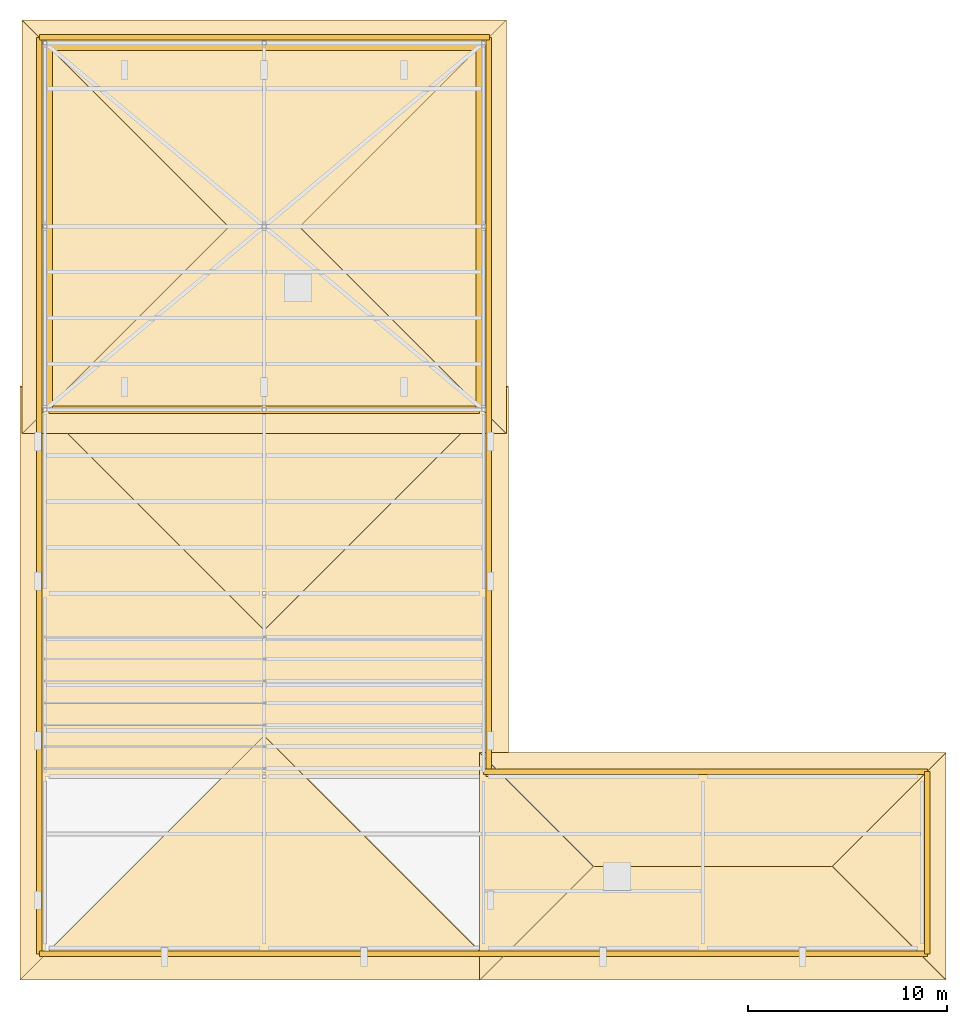
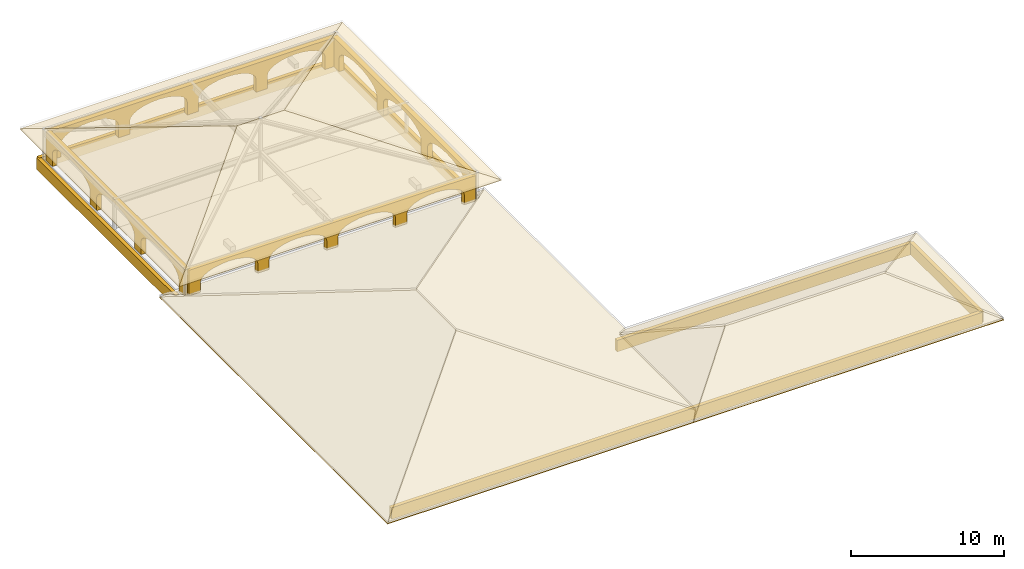
# One storey, part 5 of 5: 22 coverings.
"""IFC4 building model written with IfcOpenShell, lengths in metres."""

from ifc_helpers import new_model, si_unit, direction, frame, frame_2d, origin, place, context, subcontext, project, spatial, polyline, rectangle, outline, extrude, material, layer, layer_set, type_object, element, save


model = new_model("IFC4")

# Units and contexts
model_context = context("Model", 3, precision=1e-05, world=origin(), true_north=direction((0.0, 1.0)))
body_context = subcontext(model_context, "Body", "Model", "MODEL_VIEW")
ifc_project = project(units=[si_unit("LENGTHUNIT", "METRE"), si_unit("AREAUNIT", "SQUARE_METRE"), si_unit("VOLUMEUNIT", "CUBIC_METRE"), si_unit("PLANEANGLEUNIT", "RADIAN"), si_unit("MASSUNIT", "GRAM", prefix="KILO")], contexts=[model_context])

# Site, building, storey
site_placement = place(None, origin())
site = spatial("IfcSite", under=ifc_project, at=site_placement, CompositionType="ELEMENT")
building_placement = place(site_placement, origin())
building = spatial("IfcBuilding", under=site, at=building_placement, Name="Caurita Quay Ferry Terminal", CompositionType="ELEMENT")
storey_placement = place(building_placement, frame((0.0, 0.0, 22.5)))
storey = spatial("IfcBuildingStorey", under=building, at=storey_placement, Name="RF", CompositionType="ELEMENT", Elevation=22.5)

# Coverings
ifc_material_1 = material(Name="Warm-white lime stucco masonry", Category="masonry")
ifc_layer_1 = layer(ifc_material_1, 0.360107421875, Name="Spanish Colonial semicircular lime-stucco portales arcade 360 mm")
ifc_layer_set_1 = layer_set([ifc_layer_1], Name="Warm-white lime stucco masonry")
covering_type_1 = type_object("IfcCoveringType", Name="COV-ARC-CLD", PredefinedType="CLADDING", material=ifc_layer_set_1)
covering_1_placement = place(storey_placement, frame((21.800048828125, 116.800048828125, 0.0), z_axis=(0.0, 0.0, 1.0), x_axis=(-1.0, 0.0, 0.0)))
element("IfcCovering", 1, at=covering_1_placement, inside=storey, type_object=covering_type_1, Name="Mirador Belvedere North Arched Lantern 067", PredefinedType="CLADDING", context=body_context, shape_type="SweptSolid", body=[
    extrude(outline(polyline([(0.0, 0.0), (0.85009765625, 0.0), (0.85009765625, 1.050048828125), (0.923828125, 1.2958984375), (1.140625, 1.52490234375), (1.485107421875, 1.7216796875), (1.934326171875, 1.872802734375), (2.45751953125, 1.967529296875), (3.018798828125, 2.0), (3.580078125, 1.967529296875), (4.10302734375, 1.872802734375), (4.55224609375, 1.7216796875), (4.89697265625, 1.52490234375), (5.113525390625, 1.2958984375), (5.1875, 1.050048828125), (5.1875, 0.0), (6.03759765625, 0.0), (6.03759765625, 1.050048828125), (6.111328125, 1.2958984375), (6.328125, 1.52490234375), (6.6728515625, 1.7216796875), (7.121826171875, 1.872802734375), (7.64501953125, 1.967529296875), (8.206298828125, 2.0), (8.767578125, 1.967529296875), (9.290771484375, 1.872802734375), (9.73974609375, 1.7216796875), (10.08447265625, 1.52490234375), (10.30126953125, 1.2958984375), (10.375, 1.050048828125), (10.375, 0.0), (11.22509765625, 0.0), (11.22509765625, 1.050048828125), (11.298828125, 1.2958984375), (11.515625, 1.52490234375), (11.8603515625, 1.7216796875), (12.309326171875, 1.872802734375), (12.83251953125, 1.967529296875), (13.393798828125, 2.0), (13.955078125, 1.967529296875), (14.478271484375, 1.872802734375), (14.92724609375, 1.7216796875), (15.27197265625, 1.52490234375), (15.48876953125, 1.2958984375), (15.5625, 1.050048828125), (15.5625, 0.0), (16.41259765625, 0.0), (16.41259765625, 1.050048828125), (16.486572265625, 1.2958984375), (16.703125, 1.52490234375), (17.0478515625, 1.7216796875), (17.4970703125, 1.872802734375), (18.02001953125, 1.967529296875), (18.581298828125, 2.0), (19.142578125, 1.967529296875), (19.665771484375, 1.872802734375), (20.114990234375, 1.7216796875), (20.45947265625, 1.52490234375), (20.67626953125, 1.2958984375), (20.75, 1.050048828125), (20.75, 0.0), (21.60009765625, 0.0), (21.60009765625, 2.300048828125), (0.0, 2.300048828125), (0.0, 0.0)])), frame((0.0, 0.18017578125, 0.0), z_axis=(0.0, -1.0, 0.0), x_axis=(1.0, 0.0, 0.0)), (0.0, 0.0, 1.0), 0.360107421875),
])
covering_2_placement = place(storey_placement, frame((0.199951171875, 98.60009765625, 0.0), z_axis=(0.0, 0.0, 1.0), x_axis=(1.0, 0.0, 0.0)))
element("IfcCovering", 2, at=covering_2_placement, inside=storey, type_object=covering_type_1, Name="Mirador Belvedere South Arched Lantern 068", PredefinedType="CLADDING", context=body_context, shape_type="SweptSolid", body=[
    extrude(outline(polyline([(0.0, 0.0), (0.85009765625, 0.0), (0.85009765625, 1.050048828125), (0.923828125, 1.2958984375), (1.140625, 1.52490234375), (1.485107421875, 1.7216796875), (1.934326171875, 1.872802734375), (2.45751953125, 1.967529296875), (3.018798828125, 2.0), (3.580078125, 1.967529296875), (4.10302734375, 1.872802734375), (4.55224609375, 1.7216796875), (4.89697265625, 1.52490234375), (5.113525390625, 1.2958984375), (5.1875, 1.050048828125), (5.1875, 0.0), (6.03759765625, 0.0), (6.03759765625, 1.050048828125), (6.111328125, 1.2958984375), (6.328125, 1.52490234375), (6.6728515625, 1.7216796875), (7.121826171875, 1.872802734375), (7.64501953125, 1.967529296875), (8.206298828125, 2.0), (8.767578125, 1.967529296875), (9.290771484375, 1.872802734375), (9.73974609375, 1.7216796875), (10.08447265625, 1.52490234375), (10.30126953125, 1.2958984375), (10.375, 1.050048828125), (10.375, 0.0), (11.22509765625, 0.0), (11.22509765625, 1.050048828125), (11.298828125, 1.2958984375), (11.515625, 1.52490234375), (11.8603515625, 1.7216796875), (12.309326171875, 1.872802734375), (12.83251953125, 1.967529296875), (13.393798828125, 2.0), (13.955078125, 1.967529296875), (14.478271484375, 1.872802734375), (14.92724609375, 1.7216796875), (15.27197265625, 1.52490234375), (15.48876953125, 1.2958984375), (15.5625, 1.050048828125), (15.5625, 0.0), (16.41259765625, 0.0), (16.41259765625, 1.050048828125), (16.486572265625, 1.2958984375), (16.703125, 1.52490234375), (17.0478515625, 1.7216796875), (17.4970703125, 1.872802734375), (18.02001953125, 1.967529296875), (18.581298828125, 2.0), (19.142578125, 1.967529296875), (19.665771484375, 1.872802734375), (20.114990234375, 1.7216796875), (20.45947265625, 1.52490234375), (20.67626953125, 1.2958984375), (20.75, 1.050048828125), (20.75, 0.0), (21.60009765625, 0.0), (21.60009765625, 2.300048828125), (0.0, 2.300048828125), (0.0, 0.0)])), frame((0.0, 0.18017578125, 0.0), z_axis=(0.0, -1.0, 0.0), x_axis=(1.0, 0.0, 0.0)), (0.0, 0.0, 1.0), 0.360107421875),
])
for number, where, z_axis, x_axis, name in (
    (3, (0.199951171875, 116.800048828125, 0.0), (0.0, 0.0, 1.0), (0.0, -1.0, 0.0), "Mirador Belvedere West Arched Lantern 069"),
    (4, (21.800048828125, 98.60009765625, 0.0), (0.0, 0.0, 1.0), (0.0, 1.0, 0.0), "Mirador Belvedere East Arched Lantern 070"),
):
    element("IfcCovering", number, at=place(storey_placement, frame(where, z_axis=z_axis, x_axis=x_axis)), inside=storey, type_object=covering_type_1, Name=name, PredefinedType="CLADDING", context=body_context, shape_type="SweptSolid", body=[
        extrude(outline(polyline([(0.0, 0.0), (0.85009765625, 0.0), (0.85009765625, 1.050048828125), (0.93408203125, 1.2958984375), (1.180419921875, 1.52490234375), (1.572509765625, 1.7216796875), (2.083251953125, 1.872802734375), (2.67822265625, 1.967529296875), (3.316650390625, 2.0), (3.955078125, 1.967529296875), (4.550048828125, 1.872802734375), (5.060791015625, 1.7216796875), (5.452880859375, 1.52490234375), (5.69921875, 1.2958984375), (5.783203125, 1.050048828125), (5.783203125, 0.0), (6.63330078125, 0.0), (6.63330078125, 1.050048828125), (6.71728515625, 1.2958984375), (6.9638671875, 1.52490234375), (7.355712890625, 1.7216796875), (7.86669921875, 1.872802734375), (8.461669921875, 1.967529296875), (9.099853515625, 2.0), (9.73828125, 1.967529296875), (10.333251953125, 1.872802734375), (10.84423828125, 1.7216796875), (11.236083984375, 1.52490234375), (11.482666015625, 1.2958984375), (11.566650390625, 1.050048828125), (11.566650390625, 0.0), (12.416748046875, 0.0), (12.416748046875, 1.050048828125), (12.500732421875, 1.2958984375), (12.7470703125, 1.52490234375), (13.13916015625, 1.7216796875), (13.64990234375, 1.872802734375), (14.244873046875, 1.967529296875), (14.88330078125, 2.0), (15.521728515625, 1.967529296875), (16.11669921875, 1.872802734375), (16.62744140625, 1.7216796875), (17.01953125, 1.52490234375), (17.265869140625, 1.2958984375), (17.349853515625, 1.050048828125), (17.349853515625, 0.0), (18.199951171875, 0.0), (18.199951171875, 2.300048828125), (0.0, 2.300048828125), (0.0, 0.0)])), frame((0.0, 0.18017578125, 0.0), z_axis=(0.0, -1.0, 0.0), x_axis=(1.0, 0.0, 0.0)), (0.0, 0.0, 1.0), 0.360107421875),
    ])
ifc_material_2 = material(Name="Coral stone ashlar cladding", Category="masonry")
ifc_layer_2 = layer(ifc_material_2, 0.239990234375, Name="Classical coral-stone entablature and cornice moulding 240 mm")
ifc_layer_set_2 = layer_set([ifc_layer_2], Name="Coral stone ashlar cladding")
covering_type_2 = type_object("IfcCoveringType", Name="COV-ENT-MLD", PredefinedType="MOLDING", material=ifc_layer_set_2)
covering_3_placement = place(storey_placement, frame((22.300048828125, 117.280029296875, -0.85009765625), z_axis=(0.0, 0.0, 1.0), x_axis=(-1.0, 0.0, 0.0)))
element("IfcCovering", 5, at=covering_3_placement, inside=storey, type_object=covering_type_2, Name="RF Classical Entablature Cornice 005", PredefinedType="MOLDING", context=body_context, shape_type="SweptSolid", body=[
    extrude(rectangle(XDim=22.580078125, YDim=0.280029296875, at=frame_2d((11.2900390625, 0.0))), origin(), (0.0, 0.0, 1.0), 0.91015625),
])
covering_4_placement = place(storey_placement, frame((-0.280029296875, 117.280029296875, -0.85009765625), z_axis=(0.0, 0.0, 1.0), x_axis=(0.0, -1.0, 0.0)))
element("IfcCovering", 6, at=covering_4_placement, inside=storey, type_object=covering_type_2, Name="RF Classical Entablature Cornice 010", PredefinedType="MOLDING", context=body_context, shape_type="SweptSolid", body=[
    extrude(rectangle(XDim=45.97998046875, YDim=0.280029296875, at=frame_2d((22.989990234375, 0.0))), origin(), (0.0, 0.0, 1.0), 0.91015625),
])
covering_5_placement = place(storey_placement, frame((22.260009765625, 80.199951171875, -0.85009765625), z_axis=(0.0, 0.0, 1.0), x_axis=(0.0, 1.0, 0.0)))
element("IfcCovering", 7, at=covering_5_placement, inside=storey, type_object=covering_type_2, Name="RF Classical Entablature Cornice 015", PredefinedType="MOLDING", context=body_context, shape_type="SweptSolid", body=[
    extrude(rectangle(XDim=37.080078125, YDim=0.280029296875, at=frame_2d((18.5400390625, 0.0))), origin(), (0.0, 0.0, 1.0), 0.91015625),
])
covering_6_placement = place(storey_placement, frame((44.260009765625, 71.300048828125, -0.85009765625), z_axis=(0.0, 0.0, 1.0), x_axis=(0.0, 1.0, 0.0)))
element("IfcCovering", 8, at=covering_6_placement, inside=storey, type_object=covering_type_2, Name="RF Classical Entablature Cornice 016", PredefinedType="MOLDING", context=body_context, shape_type="SweptSolid", body=[
    extrude(rectangle(XDim=9.14990234375, YDim=0.280029296875, at=frame_2d((4.574951171875, 0.0))), origin(), (0.0, 0.0, 1.0), 0.91015625),
])
covering_7_placement = place(storey_placement, frame((-0.280029296875, 71.320068359375, -0.85009765625), z_axis=(0.0, 0.0, 1.0), x_axis=(1.0, 0.0, 0.0)))
element("IfcCovering", 9, at=covering_7_placement, inside=storey, type_object=covering_type_2, Name="RF Classical Entablature Cornice 017", PredefinedType="MOLDING", context=body_context, shape_type="SweptSolid", body=[
    extrude(rectangle(XDim=44.5400390625, YDim=0.280029296875, at=frame_2d((22.27001953125, 0.0))), origin(), (0.0, 0.0, 1.0), 0.91015625),
])
covering_8_placement = place(storey_placement, frame((22.0, 80.449951171875, -0.85009765625), z_axis=(0.0, 0.0, 1.0), x_axis=(1.0, 0.0, 0.0)))
element("IfcCovering", 10, at=covering_8_placement, inside=storey, type_object=covering_type_2, Name="RF Classical Entablature Cornice 018", PredefinedType="MOLDING", context=body_context, shape_type="SweptSolid", body=[
    extrude(rectangle(XDim=22.260009765625, YDim=0.280029296875, at=frame_2d((11.1298828125, 0.0))), origin(), (0.0, 0.0, 1.0), 0.91015625),
])
ifc_material_3 = material(Name="Terracotta clay barrel tile", Category="masonry")
ifc_layer_3 = layer(ifc_material_3, 0.06494140625, Name="Terracotta clay barrel-tile roofing course")
ifc_layer_set_3 = layer_set([ifc_layer_3], Name="Terracotta clay barrel tile")
covering_type_3 = type_object("IfcCoveringType", Name="COV-TEJA-ROOF", PredefinedType="ROOFING", material=ifc_layer_set_3)
for number, where, z_axis, x_axis, name in (
    (11, (-1.14990234375, 97.39990234375, 2.090087890625), (0.0, -0.269191096146, 0.963086784125), (1.0, 0.0, 0.0), "Terracotta Roof Timber Decking MIRADOR-S"),
    (12, (23.14990234375, 118.14990234375, 2.090087890625), (0.0, 0.269191096146, 0.963086784125), (-1.0, 0.0, 0.0), "Terracotta Roof Timber Decking MIRADOR-N"),
):
    element("IfcCovering", number, at=place(storey_placement, frame(where, z_axis=z_axis, x_axis=x_axis)), inside=storey, type_object=covering_type_3, Name=name, PredefinedType="ROOFING", context=body_context, shape_type="SweptSolid", body=[
        extrude(outline(polyline([(0.0, 0.0), (24.2998046875, 0.0), (13.9248046875, 10.772653275924494), (10.375, 10.772653275924494), (0.0, 0.0)])), origin(), (0.0, 0.0, -1.0), 0.054931640625),
    ])
for number, where, z_axis, x_axis, name in (
    (13, (-1.14990234375, 118.14990234375, 2.090087890625), (-0.269191096146, 0.0, 0.963086784125), (0.0, -1.0, 0.0), "Terracotta Roof Timber Decking MIRADOR-W"),
    (14, (23.14990234375, 97.39990234375, 2.090087890625), (0.269191096146, 0.0, 0.963086784125), (0.0, 1.0, 0.0), "Terracotta Roof Timber Decking MIRADOR-E"),
):
    element("IfcCovering", number, at=place(storey_placement, frame(where, z_axis=z_axis, x_axis=x_axis)), inside=storey, type_object=covering_type_3, Name=name, PredefinedType="ROOFING", context=body_context, shape_type="SweptSolid", body=[
        extrude(outline(polyline([(0.0, 0.0), (20.75, 0.0), (10.375, 10.772653275924494), (0.0, 0.0)])), origin(), (0.0, 0.0, -1.0), 0.054931640625),
    ])
for number, where, z_axis, x_axis, name in (
    (15, (-1.25, 99.800048828125, -0.139892578125), (-0.287701592342, 0.0, 0.957720101994), (0.0, -1.0, 0.0), "Terracotta Roof Timber Decking V5-WEST-W"),
    (16, (23.25, 70.0, -0.139892578125), (0.287701592342, 0.0, 0.957720101994), (0.0, 1.0, 0.0), "Terracotta Roof Timber Decking V5-WEST-E"),
):
    element("IfcCovering", number, at=place(storey_placement, frame(where, z_axis=z_axis, x_axis=x_axis)), inside=storey, type_object=covering_type_3, Name=name, PredefinedType="ROOFING", context=body_context, shape_type="SweptSolid", body=[
        extrude(outline(polyline([(0.0, 0.0), (29.800048828125, 0.0), (17.550048828125, 12.79079344214709), (12.25, 12.79079344214709), (0.0, 0.0)])), origin(), (0.0, 0.0, -1.0), 0.054931640625),
    ])
for number, where, z_axis, x_axis, name in (
    (17, (-1.25, 70.0, -0.139892578125), (0.0, -0.287701592342, 0.957720101994), (1.0, 0.0, 0.0), "Terracotta Roof Timber Decking V5-WEST-S"),
    (18, (23.25, 99.800048828125, -0.139892578125), (0.0, 0.287701592342, 0.957720101994), (-1.0, 0.0, 0.0), "Terracotta Roof Timber Decking V5-WEST-N"),
):
    element("IfcCovering", number, at=place(storey_placement, frame(where, z_axis=z_axis, x_axis=x_axis)), inside=storey, type_object=covering_type_3, Name=name, PredefinedType="ROOFING", context=body_context, shape_type="SweptSolid", body=[
        extrude(outline(polyline([(0.0, 0.0), (24.5, 0.0), (12.25, 12.79079344214709), (0.0, 0.0)])), origin(), (0.0, 0.0, -1.0), 0.054931640625),
    ])
for number, where, z_axis, x_axis, name in (
    (19, (21.800048828125, 70.0, -0.139892578125), (0.0, -0.36433768474, 0.931266906681), (1.0, 0.0, 0.0), "Terracotta Roof Timber Decking V5-STH-S"),
    (20, (45.199951171875, 81.39990234375, -0.139892578125), (0.0, 0.36433768474, 0.931266906681), (-1.0, 0.0, 0.0), "Terracotta Roof Timber Decking V5-STH-N"),
):
    element("IfcCovering", number, at=place(storey_placement, frame(where, z_axis=z_axis, x_axis=x_axis)), inside=storey, type_object=covering_type_3, Name=name, PredefinedType="ROOFING", context=body_context, shape_type="SweptSolid", body=[
        extrude(outline(polyline([(0.0, 0.0), (23.39990234375, 0.0), (17.699951171875, 6.120641817061806), (5.699951171875, 6.120641817061806), (0.0, 0.0)])), origin(), (0.0, 0.0, -1.0), 0.054931640625),
    ])
for number, where, z_axis, x_axis, name in (
    (21, (21.800048828125, 81.39990234375, -0.139892578125), (-0.36433768474, 0.0, 0.931266906681), (0.0, -1.0, 0.0), "Terracotta Roof Timber Decking V5-STH-W"),
    (22, (45.199951171875, 70.0, -0.139892578125), (0.36433768474, 0.0, 0.931266906681), (0.0, 1.0, 0.0), "Terracotta Roof Timber Decking V5-STH-E"),
):
    element("IfcCovering", number, at=place(storey_placement, frame(where, z_axis=z_axis, x_axis=x_axis)), inside=storey, type_object=covering_type_3, Name=name, PredefinedType="ROOFING", context=body_context, shape_type="SweptSolid", body=[
        extrude(outline(polyline([(0.0, 0.0), (11.39990234375, 0.0), (5.699951171875, 6.120641817061807), (0.0, 0.0)])), origin(), (0.0, 0.0, -1.0), 0.054931640625),
    ])

save(model, "model.ifc")
